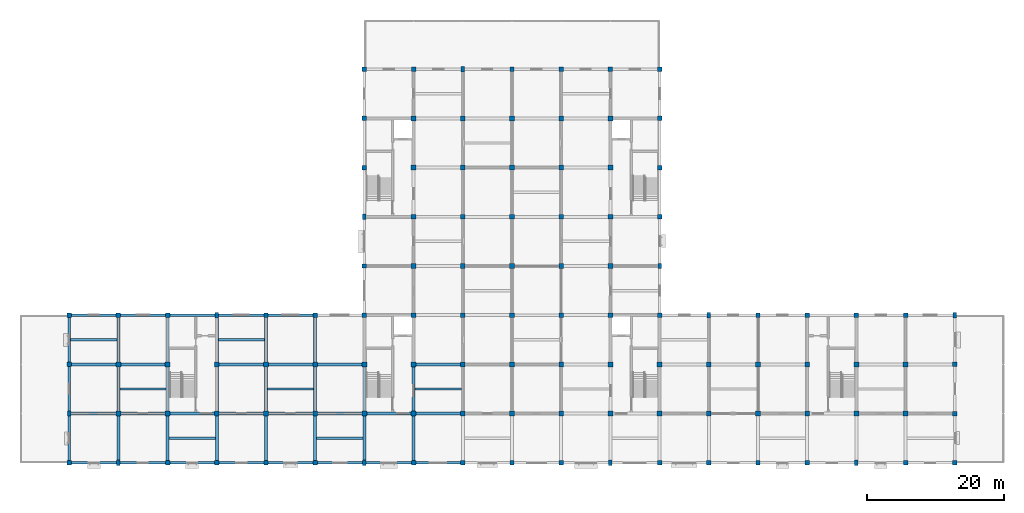
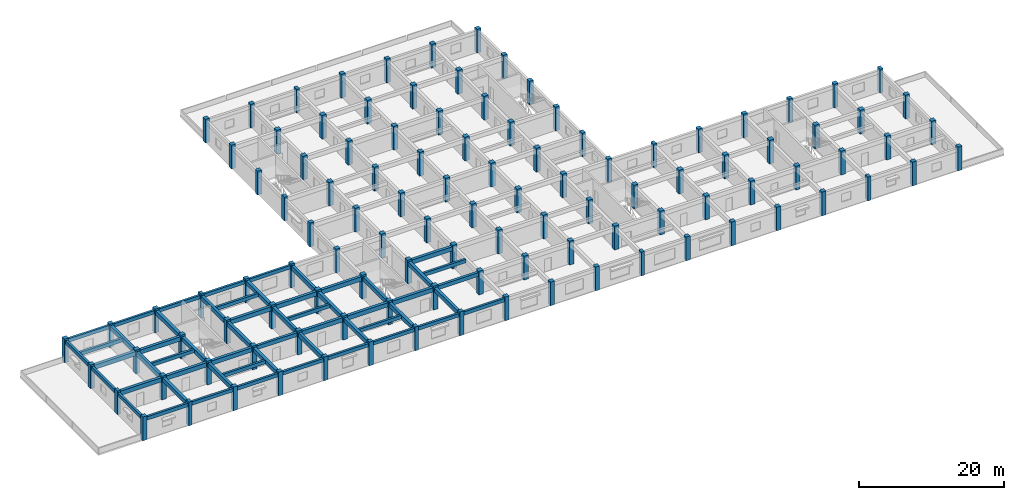
# One storey, part 1 of 16: 111 columns, 56 beams.
"""IFC4 building model written with IfcOpenShell, lengths in metres."""

from ifc_helpers import new_model, si_unit, direction, frame, origin, origin_2d, place, context, subcontext, project, spatial, rectangle, extrude, material, material_profile, profile_set, type_object, element, save


model = new_model("IFC4")

# Units and contexts
model_context = context("Model", 3, precision=1e-05, world=origin(), true_north=direction((0.0, 1.0)))
body_context = subcontext(model_context, "Body", "Model", "MODEL_VIEW")
ifc_project = project(units=[si_unit("LENGTHUNIT", "METRE"), si_unit("AREAUNIT", "SQUARE_METRE"), si_unit("VOLUMEUNIT", "CUBIC_METRE"), si_unit("PLANEANGLEUNIT", "RADIAN"), si_unit("MASSUNIT", "GRAM", prefix="KILO")], contexts=[model_context])

# Site, building, storey
site_placement = place(None, origin())
site = spatial("IfcSite", under=ifc_project, at=site_placement, CompositionType="ELEMENT")
building_placement = place(site_placement, origin())
building = spatial("IfcBuilding", under=site, at=building_placement, Name="Cendaluz Park School", CompositionType="ELEMENT")
storey_placement = place(building_placement, frame((0.0, 0.0, 22.60009765625)))
storey = spatial("IfcBuildingStorey", under=building, at=storey_placement, Name="L05", CompositionType="ELEMENT", Elevation=22.60009765625)

# Columns
ifc_material = material(Name="Concrete C40/50", Category="concrete")
ifc_material_profile_1 = material_profile(ifc_material, rectangle(XDim=0.5, YDim=0.75, at=origin_2d()), Name="RC 500x750", Category="concrete")
ifc_profile_set_1 = profile_set([ifc_material_profile_1], Name="Concrete C40/50")
column_type_1 = type_object("IfcColumnType", Name="C-PL01", PredefinedType="PILASTER", material=ifc_profile_set_1)
for number, where, z_axis, x_axis, name in (
    (1, (21.60009765625, 14.39990234375, 0.0), (0.0, 0.0, 1.0), (1.0, 0.0, 0.0), "C-L05-CPL01-002"),
    (2, (28.800048828125, 7.199951171875, 0.0), (0.0, 0.0, 1.0), (1.0, 0.0, 0.0), "C-L05-CPL01-005"),
    (3, (43.199951171875, 28.800048828125, 0.0), (0.0, 0.0, 1.0), (1.0, 0.0, 0.0), "C-L05-CPL01-016"),
    (4, (64.800048828125, 7.199951171875, 0.0), (0.0, 0.0, 1.0), (1.0, 0.0, 0.0), "C-L05-CPL01-025"),
    (5, (64.800048828125, 43.199951171875, 0.0), (0.0, 0.0, 1.0), (1.0, 0.0, 0.0), "C-L05-CPL01-030"),
    (6, (79.199951171875, 64.800048828125, 0.0), (0.0, 0.0, 1.0), (1.0, 0.0, 0.0), "C-L05-CPL01-051"),
    (7, (100.800048828125, 7.199951171875, 0.0), (0.0, 0.0, 1.0), (1.0, 0.0, 0.0), "C-L05-CPL01-070"),
    (8, (108.0, 36.0, 0.0), (0.0, 0.0, 1.0), (1.0, 0.0, 0.0), "C-L05-CPL01-083"),
    (9, (115.199951171875, 28.800048828125, 0.0), (0.0, 0.0, 1.0), (1.0, 0.0, 0.0), "C-L05-CPL01-091"),
    (10, (136.800048828125, 7.199951171875, 0.0), (0.0, 0.0, 1.0), (1.0, 0.0, 0.0), "C-L05-CPL01-100"),
    (11, (151.199951171875, 28.800048828125, 0.0), (0.0, 0.0, 1.0), (1.0, 0.0, 0.0), "C-L05-CPL01-111"),
):
    element("IfcColumn", number, at=place(storey_placement, frame(where, z_axis=z_axis, x_axis=x_axis)), inside=storey, type_object=column_type_1, Name=name, PredefinedType="PILASTER", context=body_context, shape_type="SweptSolid", body=[
        extrude(rectangle(XDim=0.5, YDim=0.75, at=origin_2d()), origin(), (0.0, 0.0, 1.0), 4.0),
    ])
ifc_material_profile_2 = material_profile(ifc_material, rectangle(XDim=0.699951171875, YDim=0.699951171875, at=origin_2d()), Name="RC 700x700", Category="concrete")
ifc_profile_set_2 = profile_set([ifc_material_profile_2], Name="Concrete C40/50")
column_type_2 = type_object("IfcColumnType", Name="C-RC04", PredefinedType="COLUMN", material=ifc_profile_set_2)
for number, where, z_axis, x_axis, name in (
    (12, (28.800048828125, 14.39990234375, 0.0), (0.0, 0.0, 1.0), (1.0, 0.0, 0.0), "C-L05-CRC04-006"),
    (13, (28.800048828125, 21.60009765625, 0.0), (0.0, 0.0, 1.0), (1.0, 0.0, 0.0), "C-L05-CRC04-007"),
    (14, (36.0, 14.39990234375, 0.0), (0.0, 0.0, 1.0), (1.0, 0.0, 0.0), "C-L05-CRC04-010"),
    (15, (36.0, 21.60009765625, 0.0), (0.0, 0.0, 1.0), (1.0, 0.0, 0.0), "C-L05-CRC04-011"),
    (16, (43.199951171875, 14.39990234375, 0.0), (0.0, 0.0, 1.0), (1.0, 0.0, 0.0), "C-L05-CRC04-014"),
    (17, (43.199951171875, 21.60009765625, 0.0), (0.0, 0.0, 1.0), (1.0, 0.0, 0.0), "C-L05-CRC04-015"),
    (18, (50.39990234375, 14.39990234375, 0.0), (0.0, 0.0, 1.0), (1.0, 0.0, 0.0), "C-L05-CRC04-018"),
    (19, (50.39990234375, 21.60009765625, 0.0), (0.0, 0.0, 1.0), (1.0, 0.0, 0.0), "C-L05-CRC04-019"),
    (20, (57.60009765625, 14.39990234375, 0.0), (0.0, 0.0, 1.0), (1.0, 0.0, 0.0), "C-L05-CRC04-022"),
    (21, (57.60009765625, 21.60009765625, 0.0), (0.0, 0.0, 1.0), (1.0, 0.0, 0.0), "C-L05-CRC04-023"),
    (22, (64.800048828125, 14.39990234375, 0.0), (0.0, 0.0, 1.0), (1.0, 0.0, 0.0), "C-L05-CRC04-026"),
    (23, (64.800048828125, 21.60009765625, 0.0), (0.0, 0.0, 1.0), (1.0, 0.0, 0.0), "C-L05-CRC04-027"),
    (24, (72.0, 14.39990234375, 0.0), (0.0, 0.0, 1.0), (1.0, 0.0, 0.0), "C-L05-CRC04-035"),
    (25, (72.0, 21.60009765625, 0.0), (0.0, 0.0, 1.0), (1.0, 0.0, 0.0), "C-L05-CRC04-036"),
    (26, (72.0, 28.800048828125, 0.0), (0.0, 0.0, 1.0), (1.0, 0.0, 0.0), "C-L05-CRC04-037"),
    (27, (72.0, 36.0, 0.0), (0.0, 0.0, 1.0), (1.0, 0.0, 0.0), "C-L05-CRC04-038"),
    (28, (72.0, 43.199951171875, 0.0), (0.0, 0.0, 1.0), (1.0, 0.0, 0.0), "C-L05-CRC04-039"),
    (29, (72.0, 50.39990234375, 0.0), (0.0, 0.0, 1.0), (1.0, 0.0, 0.0), "C-L05-CRC04-040"),
    (30, (72.0, 57.60009765625, 0.0), (0.0, 0.0, 1.0), (1.0, 0.0, 0.0), "C-L05-CRC04-041"),
    (31, (79.199951171875, 14.39990234375, 0.0), (0.0, 0.0, 1.0), (1.0, 0.0, 0.0), "C-L05-CRC04-044"),
    (32, (79.199951171875, 21.60009765625, 0.0), (0.0, 0.0, 1.0), (1.0, 0.0, 0.0), "C-L05-CRC04-045"),
    (33, (79.199951171875, 28.800048828125, 0.0), (0.0, 0.0, 1.0), (1.0, 0.0, 0.0), "C-L05-CRC04-046"),
    (34, (79.199951171875, 36.0, 0.0), (0.0, 0.0, 1.0), (1.0, 0.0, 0.0), "C-L05-CRC04-047"),
    (35, (79.199951171875, 43.199951171875, 0.0), (0.0, 0.0, 1.0), (1.0, 0.0, 0.0), "C-L05-CRC04-048"),
    (36, (79.199951171875, 50.39990234375, 0.0), (0.0, 0.0, 1.0), (1.0, 0.0, 0.0), "C-L05-CRC04-049"),
    (37, (79.199951171875, 57.60009765625, 0.0), (0.0, 0.0, 1.0), (1.0, 0.0, 0.0), "C-L05-CRC04-050"),
    (38, (86.39990234375, 14.39990234375, 0.0), (0.0, 0.0, 1.0), (1.0, 0.0, 0.0), "C-L05-CRC04-053"),
    (39, (86.39990234375, 21.60009765625, 0.0), (0.0, 0.0, 1.0), (1.0, 0.0, 0.0), "C-L05-CRC04-054"),
    (40, (86.39990234375, 28.800048828125, 0.0), (0.0, 0.0, 1.0), (1.0, 0.0, 0.0), "C-L05-CRC04-055"),
    (41, (86.39990234375, 36.0, 0.0), (0.0, 0.0, 1.0), (1.0, 0.0, 0.0), "C-L05-CRC04-056"),
    (42, (86.39990234375, 43.199951171875, 0.0), (0.0, 0.0, 1.0), (1.0, 0.0, 0.0), "C-L05-CRC04-057"),
    (43, (86.39990234375, 50.39990234375, 0.0), (0.0, 0.0, 1.0), (1.0, 0.0, 0.0), "C-L05-CRC04-058"),
    (44, (86.39990234375, 57.60009765625, 0.0), (0.0, 0.0, 1.0), (1.0, 0.0, 0.0), "C-L05-CRC04-059"),
    (45, (93.60009765625, 14.39990234375, 0.0), (0.0, 0.0, 1.0), (1.0, 0.0, 0.0), "C-L05-CRC04-062"),
    (46, (93.60009765625, 21.60009765625, 0.0), (0.0, 0.0, 1.0), (1.0, 0.0, 0.0), "C-L05-CRC04-063"),
    (47, (93.60009765625, 28.800048828125, 0.0), (0.0, 0.0, 1.0), (1.0, 0.0, 0.0), "C-L05-CRC04-064"),
    (48, (93.60009765625, 36.0, 0.0), (0.0, 0.0, 1.0), (1.0, 0.0, 0.0), "C-L05-CRC04-065"),
    (49, (93.60009765625, 43.199951171875, 0.0), (0.0, 0.0, 1.0), (1.0, 0.0, 0.0), "C-L05-CRC04-066"),
    (50, (93.60009765625, 50.39990234375, 0.0), (0.0, 0.0, 1.0), (1.0, 0.0, 0.0), "C-L05-CRC04-067"),
    (51, (93.60009765625, 57.60009765625, 0.0), (0.0, 0.0, 1.0), (1.0, 0.0, 0.0), "C-L05-CRC04-068"),
    (52, (100.800048828125, 14.39990234375, 0.0), (0.0, 0.0, 1.0), (1.0, 0.0, 0.0), "C-L05-CRC04-071"),
    (53, (100.800048828125, 21.60009765625, 0.0), (0.0, 0.0, 1.0), (1.0, 0.0, 0.0), "C-L05-CRC04-072"),
    (54, (100.800048828125, 28.800048828125, 0.0), (0.0, 0.0, 1.0), (1.0, 0.0, 0.0), "C-L05-CRC04-073"),
    (55, (100.800048828125, 36.0, 0.0), (0.0, 0.0, 1.0), (1.0, 0.0, 0.0), "C-L05-CRC04-074"),
    (56, (100.800048828125, 43.199951171875, 0.0), (0.0, 0.0, 1.0), (1.0, 0.0, 0.0), "C-L05-CRC04-075"),
    (57, (100.800048828125, 50.39990234375, 0.0), (0.0, 0.0, 1.0), (1.0, 0.0, 0.0), "C-L05-CRC04-076"),
    (58, (100.800048828125, 57.60009765625, 0.0), (0.0, 0.0, 1.0), (1.0, 0.0, 0.0), "C-L05-CRC04-077"),
    (59, (108.0, 14.39990234375, 0.0), (0.0, 0.0, 1.0), (1.0, 0.0, 0.0), "C-L05-CRC04-080"),
    (60, (108.0, 21.60009765625, 0.0), (0.0, 0.0, 1.0), (1.0, 0.0, 0.0), "C-L05-CRC04-081"),
    (61, (115.199951171875, 14.39990234375, 0.0), (0.0, 0.0, 1.0), (1.0, 0.0, 0.0), "C-L05-CRC04-089"),
    (62, (115.199951171875, 21.60009765625, 0.0), (0.0, 0.0, 1.0), (1.0, 0.0, 0.0), "C-L05-CRC04-090"),
    (63, (122.39990234375, 14.39990234375, 0.0), (0.0, 0.0, 1.0), (1.0, 0.0, 0.0), "C-L05-CRC04-093"),
    (64, (122.39990234375, 21.60009765625, 0.0), (0.0, 0.0, 1.0), (1.0, 0.0, 0.0), "C-L05-CRC04-094"),
    (65, (129.60009765625, 14.39990234375, 0.0), (0.0, 0.0, 1.0), (1.0, 0.0, 0.0), "C-L05-CRC04-097"),
    (66, (129.60009765625, 21.60009765625, 0.0), (0.0, 0.0, 1.0), (1.0, 0.0, 0.0), "C-L05-CRC04-098"),
    (67, (136.800048828125, 14.39990234375, 0.0), (0.0, 0.0, 1.0), (1.0, 0.0, 0.0), "C-L05-CRC04-101"),
    (68, (136.800048828125, 21.60009765625, 0.0), (0.0, 0.0, 1.0), (1.0, 0.0, 0.0), "C-L05-CRC04-102"),
    (69, (144.0, 14.39990234375, 0.0), (0.0, 0.0, 1.0), (1.0, 0.0, 0.0), "C-L05-CRC04-105"),
    (70, (144.0, 21.60009765625, 0.0), (0.0, 0.0, 1.0), (1.0, 0.0, 0.0), "C-L05-CRC04-106"),
):
    element("IfcColumn", number, at=place(storey_placement, frame(where, z_axis=z_axis, x_axis=x_axis)), inside=storey, type_object=column_type_2, Name=name, PredefinedType="COLUMN", context=body_context, shape_type="SweptSolid", body=[
        extrude(rectangle(XDim=0.699951171875, YDim=0.699951171875, at=origin_2d()), origin(), (0.0, 0.0, 1.0), 4.0),
    ])
ifc_material_profile_3 = material_profile(ifc_material, rectangle(XDim=0.64990234375, YDim=0.64990234375, at=origin_2d()), Name="RC 650x650", Category="concrete")
ifc_profile_set_3 = profile_set([ifc_material_profile_3], Name="Concrete C40/50")
column_type_3 = type_object("IfcColumnType", Name="C-RC05", PredefinedType="COLUMN", material=ifc_profile_set_3)
for number, where, z_axis, x_axis, name in (
    (71, (21.60009765625, 7.199951171875, 0.0), (0.0, 0.0, 1.0), (1.0, 0.0, 0.0), "C-L05-CRC05-001"),
    (72, (21.60009765625, 21.60009765625, 0.0), (0.0, 0.0, 1.0), (1.0, 0.0, 0.0), "C-L05-CRC05-003"),
    (73, (21.60009765625, 28.800048828125, 0.0), (0.0, 0.0, 1.0), (1.0, 0.0, 0.0), "C-L05-CRC05-004"),
    (74, (28.800048828125, 28.800048828125, 0.0), (0.0, 0.0, 1.0), (1.0, 0.0, 0.0), "C-L05-CRC05-008"),
    (75, (36.0, 7.199951171875, 0.0), (0.0, 0.0, 1.0), (1.0, 0.0, 0.0), "C-L05-CRC05-009"),
    (76, (36.0, 28.800048828125, 0.0), (0.0, 0.0, 1.0), (1.0, 0.0, 0.0), "C-L05-CRC05-012"),
    (77, (43.199951171875, 7.199951171875, 0.0), (0.0, 0.0, 1.0), (1.0, 0.0, 0.0), "C-L05-CRC05-013"),
    (78, (50.39990234375, 7.199951171875, 0.0), (0.0, 0.0, 1.0), (1.0, 0.0, 0.0), "C-L05-CRC05-017"),
    (79, (50.39990234375, 28.800048828125, 0.0), (0.0, 0.0, 1.0), (1.0, 0.0, 0.0), "C-L05-CRC05-020"),
    (80, (57.60009765625, 7.199951171875, 0.0), (0.0, 0.0, 1.0), (1.0, 0.0, 0.0), "C-L05-CRC05-021"),
    (81, (57.60009765625, 28.800048828125, 0.0), (0.0, 0.0, 1.0), (1.0, 0.0, 0.0), "C-L05-CRC05-024"),
    (82, (64.800048828125, 28.800048828125, 0.0), (0.0, 0.0, 1.0), (1.0, 0.0, 0.0), "C-L05-CRC05-028"),
    (83, (64.800048828125, 36.0, 0.0), (0.0, 0.0, 1.0), (1.0, 0.0, 0.0), "C-L05-CRC05-029"),
    (84, (64.800048828125, 50.39990234375, 0.0), (0.0, 0.0, 1.0), (1.0, 0.0, 0.0), "C-L05-CRC05-031"),
    (85, (64.800048828125, 57.60009765625, 0.0), (0.0, 0.0, 1.0), (1.0, 0.0, 0.0), "C-L05-CRC05-032"),
    (86, (64.800048828125, 64.800048828125, 0.0), (0.0, 0.0, 1.0), (1.0, 0.0, 0.0), "C-L05-CRC05-033"),
    (87, (72.0, 7.199951171875, 0.0), (0.0, 0.0, 1.0), (1.0, 0.0, 0.0), "C-L05-CRC05-034"),
    (88, (72.0, 64.800048828125, 0.0), (0.0, 0.0, 1.0), (1.0, 0.0, 0.0), "C-L05-CRC05-042"),
    (89, (79.199951171875, 7.199951171875, 0.0), (0.0, 0.0, 1.0), (1.0, 0.0, 0.0), "C-L05-CRC05-043"),
    (90, (86.39990234375, 7.199951171875, 0.0), (0.0, 0.0, 1.0), (1.0, 0.0, 0.0), "C-L05-CRC05-052"),
    (91, (86.39990234375, 64.800048828125, 0.0), (0.0, 0.0, 1.0), (1.0, 0.0, 0.0), "C-L05-CRC05-060"),
    (92, (93.60009765625, 7.199951171875, 0.0), (0.0, 0.0, 1.0), (1.0, 0.0, 0.0), "C-L05-CRC05-061"),
    (93, (93.60009765625, 64.800048828125, 0.0), (0.0, 0.0, 1.0), (1.0, 0.0, 0.0), "C-L05-CRC05-069"),
    (94, (100.800048828125, 64.800048828125, 0.0), (0.0, 0.0, 1.0), (1.0, 0.0, 0.0), "C-L05-CRC05-078"),
    (95, (108.0, 7.199951171875, 0.0), (0.0, 0.0, 1.0), (1.0, 0.0, 0.0), "C-L05-CRC05-079"),
    (96, (108.0, 28.800048828125, 0.0), (0.0, 0.0, 1.0), (1.0, 0.0, 0.0), "C-L05-CRC05-082"),
    (97, (108.0, 43.199951171875, 0.0), (0.0, 0.0, 1.0), (1.0, 0.0, 0.0), "C-L05-CRC05-084"),
    (98, (108.0, 50.39990234375, 0.0), (0.0, 0.0, 1.0), (1.0, 0.0, 0.0), "C-L05-CRC05-085"),
    (99, (108.0, 57.60009765625, 0.0), (0.0, 0.0, 1.0), (1.0, 0.0, 0.0), "C-L05-CRC05-086"),
    (100, (108.0, 64.800048828125, 0.0), (0.0, 0.0, 1.0), (1.0, 0.0, 0.0), "C-L05-CRC05-087"),
    (101, (115.199951171875, 7.199951171875, 0.0), (0.0, 0.0, 1.0), (1.0, 0.0, 0.0), "C-L05-CRC05-088"),
    (102, (122.39990234375, 7.199951171875, 0.0), (0.0, 0.0, 1.0), (1.0, 0.0, 0.0), "C-L05-CRC05-092"),
    (103, (122.39990234375, 28.800048828125, 0.0), (0.0, 0.0, 1.0), (1.0, 0.0, 0.0), "C-L05-CRC05-095"),
    (104, (129.60009765625, 7.199951171875, 0.0), (0.0, 0.0, 1.0), (1.0, 0.0, 0.0), "C-L05-CRC05-096"),
    (105, (129.60009765625, 28.800048828125, 0.0), (0.0, 0.0, 1.0), (1.0, 0.0, 0.0), "C-L05-CRC05-099"),
    (106, (136.800048828125, 28.800048828125, 0.0), (0.0, 0.0, 1.0), (1.0, 0.0, 0.0), "C-L05-CRC05-103"),
    (107, (144.0, 7.199951171875, 0.0), (0.0, 0.0, 1.0), (1.0, 0.0, 0.0), "C-L05-CRC05-104"),
    (108, (144.0, 28.800048828125, 0.0), (0.0, 0.0, 1.0), (1.0, 0.0, 0.0), "C-L05-CRC05-107"),
    (109, (151.199951171875, 7.199951171875, 0.0), (0.0, 0.0, 1.0), (1.0, 0.0, 0.0), "C-L05-CRC05-108"),
    (110, (151.199951171875, 14.39990234375, 0.0), (0.0, 0.0, 1.0), (1.0, 0.0, 0.0), "C-L05-CRC05-109"),
    (111, (151.199951171875, 21.60009765625, 0.0), (0.0, 0.0, 1.0), (1.0, 0.0, 0.0), "C-L05-CRC05-110"),
):
    element("IfcColumn", number, at=place(storey_placement, frame(where, z_axis=z_axis, x_axis=x_axis)), inside=storey, type_object=column_type_3, Name=name, PredefinedType="COLUMN", context=body_context, shape_type="SweptSolid", body=[
        extrude(rectangle(XDim=0.64990234375, YDim=0.64990234375, at=origin_2d()), origin(), (0.0, 0.0, 1.0), 4.0),
    ])

# Beams
ifc_material_profile_4 = material_profile(ifc_material, rectangle(XDim=0.449951171875, YDim=0.719970703125, at=origin_2d()), Name="RC 450x720", Category="concrete")
ifc_profile_set_4 = profile_set([ifc_material_profile_4], Name="Concrete C40/50")
beam_type_1 = type_object("IfcBeamType", Name="BM-RC02", PredefinedType="BEAM", material=ifc_profile_set_4)
beam_1_placement = place(storey_placement, frame((21.85009765625, 14.39990234375, 3.33984375), z_axis=(1.0, 0.0, 0.0), x_axis=(0.0, 1.0, 0.0)))
element("IfcBeam", 112, at=beam_1_placement, inside=storey, type_object=beam_type_1, Name="BM-L05-BMRC02-0002", PredefinedType="BEAM", context=body_context, shape_type="SweptSolid", body=[
    extrude(rectangle(XDim=0.449951171875, YDim=0.719970703125, at=origin_2d()), origin(), (0.0, 0.0, 1.0), 6.599853515625),
])
beam_2_placement = place(storey_placement, frame((21.925048828125, 21.60009765625, 3.33984375), z_axis=(1.0, 0.0, 0.0), x_axis=(0.0, 1.0, 0.0)))
element("IfcBeam", 113, at=beam_2_placement, inside=storey, type_object=beam_type_1, Name="BM-L05-BMRC02-0003", PredefinedType="BEAM", context=body_context, shape_type="SweptSolid", body=[
    extrude(rectangle(XDim=0.449951171875, YDim=0.719970703125, at=origin_2d()), origin(), (0.0, 0.0, 1.0), 6.52490234375),
])
for number, where, z_axis, x_axis, name in (
    (114, (29.14990234375, 14.39990234375, 3.33984375), (1.0, 0.0, 0.0), (0.0, 1.0, 0.0), "BM-L05-BMRC02-0006"),
    (115, (29.14990234375, 21.60009765625, 3.33984375), (1.0, 0.0, 0.0), (0.0, 1.0, 0.0), "BM-L05-BMRC02-0007"),
    (116, (36.35009765625, 14.39990234375, 3.33984375), (1.0, 0.0, 0.0), (0.0, 1.0, 0.0), "BM-L05-BMRC02-0010"),
    (117, (43.550048828125, 21.60009765625, 3.33984375), (1.0, 0.0, 0.0), (0.0, 1.0, 0.0), "BM-L05-BMRC02-0014"),
    (118, (50.75, 14.39990234375, 3.33984375), (1.0, 0.0, 0.0), (0.0, 1.0, 0.0), "BM-L05-BMRC02-0017"),
    (119, (50.75, 21.60009765625, 3.33984375), (1.0, 0.0, 0.0), (0.0, 1.0, 0.0), "BM-L05-BMRC02-0018"),
    (120, (57.949951171875, 14.39990234375, 3.33984375), (1.0, 0.0, 0.0), (0.0, 1.0, 0.0), "BM-L05-BMRC02-0021"),
    (121, (57.949951171875, 21.60009765625, 3.33984375), (1.0, 0.0, 0.0), (0.0, 1.0, 0.0), "BM-L05-BMRC02-0022"),
    (122, (65.14990234375, 14.39990234375, 3.33984375), (1.0, 0.0, 0.0), (0.0, 1.0, 0.0), "BM-L05-BMRC02-0025"),
    (123, (72.35009765625, 21.60009765625, 3.33984375), (1.0, 0.0, 0.0), (0.0, 1.0, 0.0), "BM-L05-BMRC02-0033"),
):
    element("IfcBeam", number, at=place(storey_placement, frame(where, z_axis=z_axis, x_axis=x_axis)), inside=storey, type_object=beam_type_1, Name=name, PredefinedType="BEAM", context=body_context, shape_type="SweptSolid", body=[
        extrude(rectangle(XDim=0.449951171875, YDim=0.719970703125, at=origin_2d()), origin(), (0.0, 0.0, 1.0), 6.5),
    ])
beam_3_placement = place(storey_placement, frame((28.800048828125, 7.574951171875, 3.33984375), z_axis=(0.0, 1.0, 0.0), x_axis=(-1.0, 0.0, 0.0)))
element("IfcBeam", 124, at=beam_3_placement, inside=storey, type_object=beam_type_1, Name="BM-L05-BMRC02-0100", PredefinedType="BEAM", context=body_context, shape_type="SweptSolid", body=[
    extrude(rectangle(XDim=0.449951171875, YDim=0.719970703125, at=origin_2d()), origin(), (0.0, 0.0, 1.0), 6.47509765625),
])
beam_4_placement = place(storey_placement, frame((28.800048828125, 14.75, 3.33984375), z_axis=(0.0, 1.0, 0.0), x_axis=(-1.0, 0.0, 0.0)))
element("IfcBeam", 125, at=beam_4_placement, inside=storey, type_object=beam_type_1, Name="BM-L05-BMRC02-0101", PredefinedType="BEAM", context=body_context, shape_type="SweptSolid", body=[
    extrude(rectangle(XDim=0.449951171875, YDim=0.719970703125, at=origin_2d()), origin(), (0.0, 0.0, 1.0), 6.5),
])
for number, where, z_axis, x_axis, name in (
    (126, (28.800048828125, 21.949951171875, 3.33984375), (0.0, 1.0, 0.0), (-1.0, 0.0, 0.0), "BM-L05-BMRC02-0102"),
    (127, (36.0, 7.52490234375, 3.33984375), (0.0, 1.0, 0.0), (-1.0, 0.0, 0.0), "BM-L05-BMRC02-0103"),
):
    element("IfcBeam", number, at=place(storey_placement, frame(where, z_axis=z_axis, x_axis=x_axis)), inside=storey, type_object=beam_type_1, Name=name, PredefinedType="BEAM", context=body_context, shape_type="SweptSolid", body=[
        extrude(rectangle(XDim=0.449951171875, YDim=0.719970703125, at=origin_2d()), origin(), (0.0, 0.0, 1.0), 6.525146484375),
    ])
beam_5_placement = place(storey_placement, frame((36.0, 14.75, 3.33984375), z_axis=(0.0, 1.0, 0.0), x_axis=(-1.0, 0.0, 0.0)))
element("IfcBeam", 128, at=beam_5_placement, inside=storey, type_object=beam_type_1, Name="BM-L05-BMRC02-0104", PredefinedType="BEAM", context=body_context, shape_type="SweptSolid", body=[
    extrude(rectangle(XDim=0.449951171875, YDim=0.719970703125, at=origin_2d()), origin(), (0.0, 0.0, 1.0), 6.5),
])
for number, where, z_axis, x_axis, name in (
    (129, (36.0, 21.949951171875, 3.33984375), (0.0, 1.0, 0.0), (-1.0, 0.0, 0.0), "BM-L05-BMRC02-0105"),
    (130, (43.199951171875, 7.52490234375, 3.33984375), (0.0, 1.0, 0.0), (-1.0, 0.0, 0.0), "BM-L05-BMRC02-0106"),
):
    element("IfcBeam", number, at=place(storey_placement, frame(where, z_axis=z_axis, x_axis=x_axis)), inside=storey, type_object=beam_type_1, Name=name, PredefinedType="BEAM", context=body_context, shape_type="SweptSolid", body=[
        extrude(rectangle(XDim=0.449951171875, YDim=0.719970703125, at=origin_2d()), origin(), (0.0, 0.0, 1.0), 6.525146484375),
    ])
beam_6_placement = place(storey_placement, frame((43.199951171875, 14.75, 3.33984375), z_axis=(0.0, 1.0, 0.0), x_axis=(-1.0, 0.0, 0.0)))
element("IfcBeam", 131, at=beam_6_placement, inside=storey, type_object=beam_type_1, Name="BM-L05-BMRC02-0107", PredefinedType="BEAM", context=body_context, shape_type="SweptSolid", body=[
    extrude(rectangle(XDim=0.449951171875, YDim=0.719970703125, at=origin_2d()), origin(), (0.0, 0.0, 1.0), 6.5),
])
beam_7_placement = place(storey_placement, frame((43.199951171875, 21.949951171875, 3.33984375), z_axis=(0.0, 1.0, 0.0), x_axis=(-1.0, 0.0, 0.0)))
element("IfcBeam", 132, at=beam_7_placement, inside=storey, type_object=beam_type_1, Name="BM-L05-BMRC02-0108", PredefinedType="BEAM", context=body_context, shape_type="SweptSolid", body=[
    extrude(rectangle(XDim=0.449951171875, YDim=0.719970703125, at=origin_2d()), origin(), (0.0, 0.0, 1.0), 6.47509765625),
])
beam_8_placement = place(storey_placement, frame((50.39990234375, 7.52490234375, 3.33984375), z_axis=(0.0, 1.0, 0.0), x_axis=(-1.0, 0.0, 0.0)))
element("IfcBeam", 133, at=beam_8_placement, inside=storey, type_object=beam_type_1, Name="BM-L05-BMRC02-0109", PredefinedType="BEAM", context=body_context, shape_type="SweptSolid", body=[
    extrude(rectangle(XDim=0.449951171875, YDim=0.719970703125, at=origin_2d()), origin(), (0.0, 0.0, 1.0), 6.525146484375),
])
beam_9_placement = place(storey_placement, frame((50.39990234375, 14.75, 3.33984375), z_axis=(0.0, 1.0, 0.0), x_axis=(-1.0, 0.0, 0.0)))
element("IfcBeam", 134, at=beam_9_placement, inside=storey, type_object=beam_type_1, Name="BM-L05-BMRC02-0110", PredefinedType="BEAM", context=body_context, shape_type="SweptSolid", body=[
    extrude(rectangle(XDim=0.449951171875, YDim=0.719970703125, at=origin_2d()), origin(), (0.0, 0.0, 1.0), 6.5),
])
for number, where, z_axis, x_axis, name in (
    (135, (50.39990234375, 21.949951171875, 3.33984375), (0.0, 1.0, 0.0), (-1.0, 0.0, 0.0), "BM-L05-BMRC02-0111"),
    (136, (57.60009765625, 7.52490234375, 3.33984375), (0.0, 1.0, 0.0), (-1.0, 0.0, 0.0), "BM-L05-BMRC02-0112"),
):
    element("IfcBeam", number, at=place(storey_placement, frame(where, z_axis=z_axis, x_axis=x_axis)), inside=storey, type_object=beam_type_1, Name=name, PredefinedType="BEAM", context=body_context, shape_type="SweptSolid", body=[
        extrude(rectangle(XDim=0.449951171875, YDim=0.719970703125, at=origin_2d()), origin(), (0.0, 0.0, 1.0), 6.525146484375),
    ])
beam_10_placement = place(storey_placement, frame((57.60009765625, 14.75, 3.33984375), z_axis=(0.0, 1.0, 0.0), x_axis=(-1.0, 0.0, 0.0)))
element("IfcBeam", 137, at=beam_10_placement, inside=storey, type_object=beam_type_1, Name="BM-L05-BMRC02-0113", PredefinedType="BEAM", context=body_context, shape_type="SweptSolid", body=[
    extrude(rectangle(XDim=0.449951171875, YDim=0.719970703125, at=origin_2d()), origin(), (0.0, 0.0, 1.0), 6.5),
])
beam_11_placement = place(storey_placement, frame((57.60009765625, 21.949951171875, 3.33984375), z_axis=(0.0, 1.0, 0.0), x_axis=(-1.0, 0.0, 0.0)))
element("IfcBeam", 138, at=beam_11_placement, inside=storey, type_object=beam_type_1, Name="BM-L05-BMRC02-0114", PredefinedType="BEAM", context=body_context, shape_type="SweptSolid", body=[
    extrude(rectangle(XDim=0.449951171875, YDim=0.719970703125, at=origin_2d()), origin(), (0.0, 0.0, 1.0), 6.525146484375),
])
beam_12_placement = place(storey_placement, frame((64.800048828125, 7.574951171875, 3.33984375), z_axis=(0.0, 1.0, 0.0), x_axis=(-1.0, 0.0, 0.0)))
element("IfcBeam", 139, at=beam_12_placement, inside=storey, type_object=beam_type_1, Name="BM-L05-BMRC02-0115", PredefinedType="BEAM", context=body_context, shape_type="SweptSolid", body=[
    extrude(rectangle(XDim=0.449951171875, YDim=0.719970703125, at=origin_2d()), origin(), (0.0, 0.0, 1.0), 6.47509765625),
])
beam_13_placement = place(storey_placement, frame((64.800048828125, 14.75, 3.33984375), z_axis=(0.0, 1.0, 0.0), x_axis=(-1.0, 0.0, 0.0)))
element("IfcBeam", 140, at=beam_13_placement, inside=storey, type_object=beam_type_1, Name="BM-L05-BMRC02-0116", PredefinedType="BEAM", context=body_context, shape_type="SweptSolid", body=[
    extrude(rectangle(XDim=0.449951171875, YDim=0.719970703125, at=origin_2d()), origin(), (0.0, 0.0, 1.0), 6.5),
])
beam_14_placement = place(storey_placement, frame((72.0, 7.52490234375, 3.33984375), z_axis=(0.0, 1.0, 0.0), x_axis=(-1.0, 0.0, 0.0)))
element("IfcBeam", 141, at=beam_14_placement, inside=storey, type_object=beam_type_1, Name="BM-L05-BMRC02-0123", PredefinedType="BEAM", context=body_context, shape_type="SweptSolid", body=[
    extrude(rectangle(XDim=0.449951171875, YDim=0.719970703125, at=origin_2d()), origin(), (0.0, 0.0, 1.0), 6.525146484375),
])
beam_15_placement = place(storey_placement, frame((72.0, 14.75, 3.33984375), z_axis=(0.0, 1.0, 0.0), x_axis=(-1.0, 0.0, 0.0)))
element("IfcBeam", 142, at=beam_15_placement, inside=storey, type_object=beam_type_1, Name="BM-L05-BMRC02-0124", PredefinedType="BEAM", context=body_context, shape_type="SweptSolid", body=[
    extrude(rectangle(XDim=0.449951171875, YDim=0.719970703125, at=origin_2d()), origin(), (0.0, 0.0, 1.0), 6.5),
])
ifc_material_profile_5 = material_profile(ifc_material, rectangle(XDim=0.39990234375, YDim=0.64990234375, at=origin_2d()), Name="RC 400x650", Category="concrete")
ifc_profile_set_5 = profile_set([ifc_material_profile_5], Name="Concrete C40/50")
beam_type_2 = type_object("IfcBeamType", Name="BM-RC03", PredefinedType="T_BEAM", material=ifc_profile_set_5)
for number, where, z_axis, x_axis, name in (
    (143, (43.550048828125, 14.39990234375, 3.375), (1.0, 0.0, 0.0), (0.0, 1.0, 0.0), "BM-L05-BMRC03-0013"),
    (144, (72.35009765625, 14.39990234375, 3.375), (1.0, 0.0, 0.0), (0.0, 1.0, 0.0), "BM-L05-BMRC03-0032"),
):
    element("IfcBeam", number, at=place(storey_placement, frame(where, z_axis=z_axis, x_axis=x_axis)), inside=storey, type_object=beam_type_2, Name=name, PredefinedType="T_BEAM", context=body_context, shape_type="SweptSolid", body=[
        extrude(rectangle(XDim=0.39990234375, YDim=0.64990234375, at=origin_2d()), origin(), (0.0, 0.0, 1.0), 6.5),
    ])
ifc_material_profile_6 = material_profile(ifc_material, rectangle(XDim=0.35009765625, YDim=0.580078125, at=origin_2d()), Name="RC 350x580", Category="concrete")
ifc_profile_set_6 = profile_set([ifc_material_profile_6], Name="Concrete C40/50")
beam_type_3 = type_object("IfcBeamType", Name="BM-RC04", PredefinedType="LINTEL", material=ifc_profile_set_6)
beam_16_placement = place(storey_placement, frame((21.925048828125, 7.199951171875, 3.409912109375), z_axis=(1.0, 0.0, 0.0), x_axis=(0.0, 1.0, 0.0)))
element("IfcBeam", 145, at=beam_16_placement, inside=storey, type_object=beam_type_3, Name="BM-L05-BMRC04-0001", PredefinedType="LINTEL", context=body_context, shape_type="SweptSolid", body=[
    extrude(rectangle(XDim=0.35009765625, YDim=0.580078125, at=origin_2d()), origin(), (0.0, 0.0, 1.0), 6.625),
])
beam_17_placement = place(storey_placement, frame((21.925048828125, 28.800048828125, 3.409912109375), z_axis=(1.0, 0.0, 0.0), x_axis=(0.0, 1.0, 0.0)))
element("IfcBeam", 146, at=beam_17_placement, inside=storey, type_object=beam_type_3, Name="BM-L05-BMRC04-0004", PredefinedType="LINTEL", context=body_context, shape_type="SweptSolid", body=[
    extrude(rectangle(XDim=0.35009765625, YDim=0.580078125, at=origin_2d()), origin(), (0.0, 0.0, 1.0), 6.550048828125),
])
beam_18_placement = place(storey_placement, frame((29.050048828125, 7.199951171875, 3.409912109375), z_axis=(1.0, 0.0, 0.0), x_axis=(0.0, 1.0, 0.0)))
element("IfcBeam", 147, at=beam_18_placement, inside=storey, type_object=beam_type_3, Name="BM-L05-BMRC04-0005", PredefinedType="LINTEL", context=body_context, shape_type="SweptSolid", body=[
    extrude(rectangle(XDim=0.35009765625, YDim=0.580078125, at=origin_2d()), origin(), (0.0, 0.0, 1.0), 6.625),
])
for number, where, z_axis, x_axis, name in (
    (148, (29.125, 28.800048828125, 3.409912109375), (1.0, 0.0, 0.0), (0.0, 1.0, 0.0), "BM-L05-BMRC04-0008"),
    (149, (36.324951171875, 7.199951171875, 3.409912109375), (1.0, 0.0, 0.0), (0.0, 1.0, 0.0), "BM-L05-BMRC04-0009"),
):
    element("IfcBeam", number, at=place(storey_placement, frame(where, z_axis=z_axis, x_axis=x_axis)), inside=storey, type_object=beam_type_3, Name=name, PredefinedType="LINTEL", context=body_context, shape_type="SweptSolid", body=[
        extrude(rectangle(XDim=0.35009765625, YDim=0.580078125, at=origin_2d()), origin(), (0.0, 0.0, 1.0), 6.550048828125),
    ])
beam_19_placement = place(storey_placement, frame((36.324951171875, 28.800048828125, 3.409912109375), z_axis=(1.0, 0.0, 0.0), x_axis=(0.0, 1.0, 0.0)))
element("IfcBeam", 150, at=beam_19_placement, inside=storey, type_object=beam_type_3, Name="BM-L05-BMRC04-0011", PredefinedType="LINTEL", context=body_context, shape_type="SweptSolid", body=[
    extrude(rectangle(XDim=0.35009765625, YDim=0.580078125, at=origin_2d()), origin(), (0.0, 0.0, 1.0), 6.625),
])
beam_20_placement = place(storey_placement, frame((43.52490234375, 7.199951171875, 3.409912109375), z_axis=(1.0, 0.0, 0.0), x_axis=(0.0, 1.0, 0.0)))
element("IfcBeam", 151, at=beam_20_placement, inside=storey, type_object=beam_type_3, Name="BM-L05-BMRC04-0012", PredefinedType="LINTEL", context=body_context, shape_type="SweptSolid", body=[
    extrude(rectangle(XDim=0.35009765625, YDim=0.580078125, at=origin_2d()), origin(), (0.0, 0.0, 1.0), 6.550048828125),
])
beam_21_placement = place(storey_placement, frame((43.449951171875, 28.800048828125, 3.409912109375), z_axis=(1.0, 0.0, 0.0), x_axis=(0.0, 1.0, 0.0)))
element("IfcBeam", 152, at=beam_21_placement, inside=storey, type_object=beam_type_3, Name="BM-L05-BMRC04-0015", PredefinedType="LINTEL", context=body_context, shape_type="SweptSolid", body=[
    extrude(rectangle(XDim=0.35009765625, YDim=0.580078125, at=origin_2d()), origin(), (0.0, 0.0, 1.0), 6.625),
])
for number, where, z_axis, x_axis, name in (
    (153, (50.72509765625, 7.199951171875, 3.409912109375), (1.0, 0.0, 0.0), (0.0, 1.0, 0.0), "BM-L05-BMRC04-0016"),
    (154, (50.72509765625, 28.800048828125, 3.409912109375), (1.0, 0.0, 0.0), (0.0, 1.0, 0.0), "BM-L05-BMRC04-0019"),
):
    element("IfcBeam", number, at=place(storey_placement, frame(where, z_axis=z_axis, x_axis=x_axis)), inside=storey, type_object=beam_type_3, Name=name, PredefinedType="LINTEL", context=body_context, shape_type="SweptSolid", body=[
        extrude(rectangle(XDim=0.35009765625, YDim=0.580078125, at=origin_2d()), origin(), (0.0, 0.0, 1.0), 6.5498046875),
    ])
for number, where, z_axis, x_axis, name in (
    (155, (57.925048828125, 7.199951171875, 3.409912109375), (1.0, 0.0, 0.0), (0.0, 1.0, 0.0), "BM-L05-BMRC04-0020"),
    (156, (65.050048828125, 7.199951171875, 3.409912109375), (1.0, 0.0, 0.0), (0.0, 1.0, 0.0), "BM-L05-BMRC04-0024"),
):
    element("IfcBeam", number, at=place(storey_placement, frame(where, z_axis=z_axis, x_axis=x_axis)), inside=storey, type_object=beam_type_3, Name=name, PredefinedType="LINTEL", context=body_context, shape_type="SweptSolid", body=[
        extrude(rectangle(XDim=0.35009765625, YDim=0.580078125, at=origin_2d()), origin(), (0.0, 0.0, 1.0), 6.625),
    ])
beam_22_placement = place(storey_placement, frame((72.324951171875, 7.199951171875, 3.409912109375), z_axis=(1.0, 0.0, 0.0), x_axis=(0.0, 1.0, 0.0)))
element("IfcBeam", 157, at=beam_22_placement, inside=storey, type_object=beam_type_3, Name="BM-L05-BMRC04-0031", PredefinedType="LINTEL", context=body_context, shape_type="SweptSolid", body=[
    extrude(rectangle(XDim=0.35009765625, YDim=0.580078125, at=origin_2d()), origin(), (0.0, 0.0, 1.0), 6.550048828125),
])
for number, where, z_axis, x_axis, name in (
    (158, (21.60009765625, 7.52490234375, 3.409912109375), (0.0, 1.0, 0.0), (-1.0, 0.0, 0.0), "BM-L05-BMRC04-0097"),
    (159, (21.60009765625, 14.77490234375, 3.409912109375), (0.0, 1.0, 0.0), (-1.0, 0.0, 0.0), "BM-L05-BMRC04-0098"),
):
    element("IfcBeam", number, at=place(storey_placement, frame(where, z_axis=z_axis, x_axis=x_axis)), inside=storey, type_object=beam_type_3, Name=name, PredefinedType="LINTEL", context=body_context, shape_type="SweptSolid", body=[
        extrude(rectangle(XDim=0.35009765625, YDim=0.580078125, at=origin_2d()), origin(), (0.0, 0.0, 1.0), 6.5),
    ])
beam_23_placement = place(storey_placement, frame((21.60009765625, 21.925048828125, 3.409912109375), z_axis=(0.0, 1.0, 0.0), x_axis=(-1.0, 0.0, 0.0)))
element("IfcBeam", 160, at=beam_23_placement, inside=storey, type_object=beam_type_3, Name="BM-L05-BMRC04-0099", PredefinedType="LINTEL", context=body_context, shape_type="SweptSolid", body=[
    extrude(rectangle(XDim=0.35009765625, YDim=0.580078125, at=origin_2d()), origin(), (0.0, 0.0, 1.0), 6.550048828125),
])
ifc_material_profile_7 = material_profile(ifc_material, rectangle(XDim=0.35009765625, YDim=0.580078125, at=origin_2d()), Name="RC 350x580", Category="concrete")
ifc_profile_set_7 = profile_set([ifc_material_profile_7], Name="Concrete C40/50")
beam_type_4 = type_object("IfcBeamType", Name="JT-RC01", PredefinedType="JOIST", material=ifc_profile_set_7)
beam_24_placement = place(storey_placement, frame((21.77490234375, 25.199951171875, 3.409912109375), z_axis=(1.0, 0.0, 0.0), x_axis=(0.0, 1.0, 0.0)))
element("IfcBeam", 161, at=beam_24_placement, inside=storey, type_object=beam_type_4, Name="BM-L05-JTRC01-0189", PredefinedType="JOIST", context=body_context, shape_type="SweptSolid", body=[
    extrude(rectangle(XDim=0.35009765625, YDim=0.580078125, at=origin_2d()), origin(), (0.0, 0.0, 1.0), 6.800048828125),
])
for number, where, z_axis, x_axis, name in (
    (162, (29.02490234375, 18.0, 3.409912109375), (1.0, 0.0, 0.0), (0.0, 1.0, 0.0), "BM-L05-JTRC01-0190"),
    (163, (36.22509765625, 10.800048828125, 3.409912109375), (1.0, 0.0, 0.0), (0.0, 1.0, 0.0), "BM-L05-JTRC01-0191"),
    (164, (43.425048828125, 25.199951171875, 3.409912109375), (1.0, 0.0, 0.0), (0.0, 1.0, 0.0), "BM-L05-JTRC01-0192"),
    (165, (50.625, 18.0, 3.409912109375), (1.0, 0.0, 0.0), (0.0, 1.0, 0.0), "BM-L05-JTRC01-0193"),
    (166, (57.824951171875, 10.800048828125, 3.409912109375), (1.0, 0.0, 0.0), (0.0, 1.0, 0.0), "BM-L05-JTRC01-0194"),
    (167, (72.22509765625, 18.0, 3.409912109375), (1.0, 0.0, 0.0), (0.0, 1.0, 0.0), "BM-L05-JTRC01-0195"),
):
    element("IfcBeam", number, at=place(storey_placement, frame(where, z_axis=z_axis, x_axis=x_axis)), inside=storey, type_object=beam_type_4, Name=name, PredefinedType="JOIST", context=body_context, shape_type="SweptSolid", body=[
        extrude(rectangle(XDim=0.35009765625, YDim=0.580078125, at=origin_2d()), origin(), (0.0, 0.0, 1.0), 6.75),
    ])

save(model, "model.ifc")
